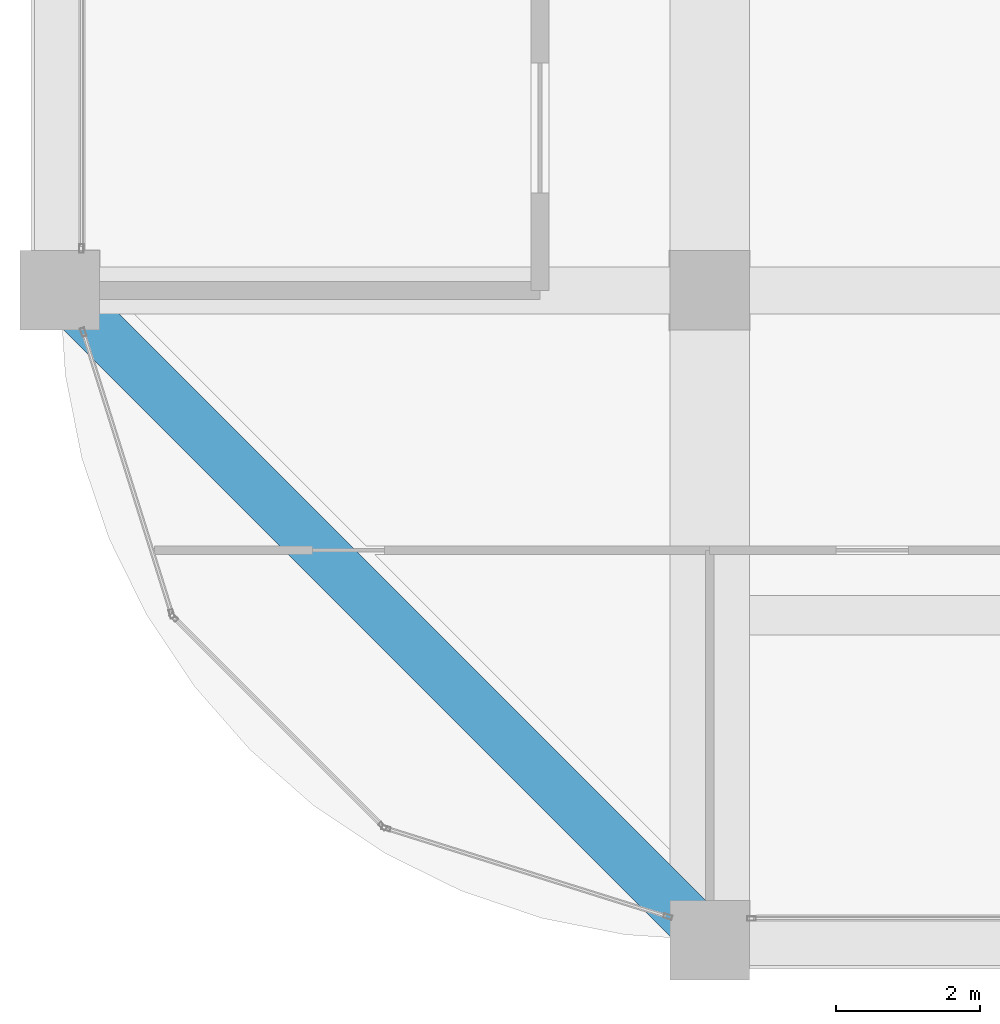
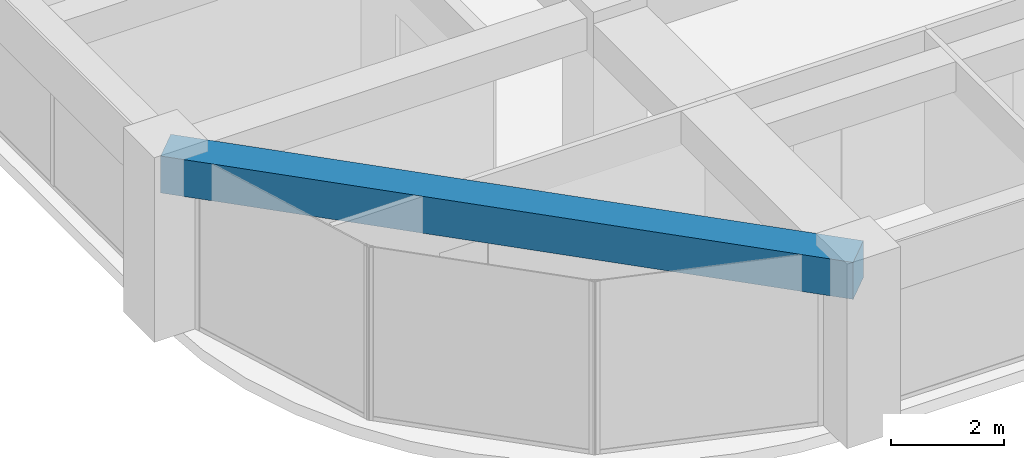
# One storey, part 3 of 44: 1 beam.
"""IFC4 building model written with IfcOpenShell, lengths in metres."""

from ifc_helpers import new_model, si_unit, direction, frame, origin, origin_2d, place, context, subcontext, project, spatial, rectangle, extrude, material, material_profile, profile_set, type_object, element, save


model = new_model("IFC4")

# Units and contexts
model_context = context("Model", 3, precision=1e-05, world=origin(), true_north=direction((0.0, 1.0)))
body_context = subcontext(model_context, "Body", "Model", "MODEL_VIEW")
ifc_project = project(units=[si_unit("LENGTHUNIT", "METRE"), si_unit("AREAUNIT", "SQUARE_METRE"), si_unit("VOLUMEUNIT", "CUBIC_METRE"), si_unit("PLANEANGLEUNIT", "RADIAN"), si_unit("MASSUNIT", "GRAM", prefix="KILO")], contexts=[model_context])

# Site, building, storey
site_placement = place(None, origin())
site = spatial("IfcSite", under=ifc_project, at=site_placement, CompositionType="ELEMENT")
building_placement = place(site_placement, origin())
building = spatial("IfcBuilding", under=site, at=building_placement, Name="Zorevar Civic Tower", CompositionType="ELEMENT")
storey_placement = place(building_placement, frame((0.0, 0.0, 275.39990234375)))
storey = spatial("IfcBuildingStorey", under=building, at=storey_placement, Name="L67", CompositionType="ELEMENT", Elevation=275.39990234375)

# Beam
ifc_material = material(Name="Concrete C50/60", Category="concrete")
ifc_material_profile = material_profile(ifc_material, rectangle(XDim=0.699951171875, YDim=0.800048828125, at=origin_2d()), Name="RC 700x800")
ifc_profile_set = profile_set([ifc_material_profile], Name="Concrete C50/60")
beam_type = type_object("IfcBeamType", Name="Edge beam RC 700x800", PredefinedType="SPANDREL", material=ifc_profile_set)
beam_placement = place(storey_placement, frame((9.0, 9.0, 3.35009765625), z_axis=(0.707106781187, -0.707106781187, 0.0), x_axis=(0.707106781187, 0.707106781187, 0.0)))
element("IfcBeam", 1, at=beam_placement, inside=storey, type_object=beam_type, Name="Corner edge beam L68", PredefinedType="SPANDREL", context=body_context, shape_type="SweptSolid", body=[
    extrude(rectangle(XDim=0.699951171875, YDim=0.800048828125, at=origin_2d()), origin(), (0.0, 0.0, 1.0), 12.72802734375),
])

save(model, "model.ifc")
